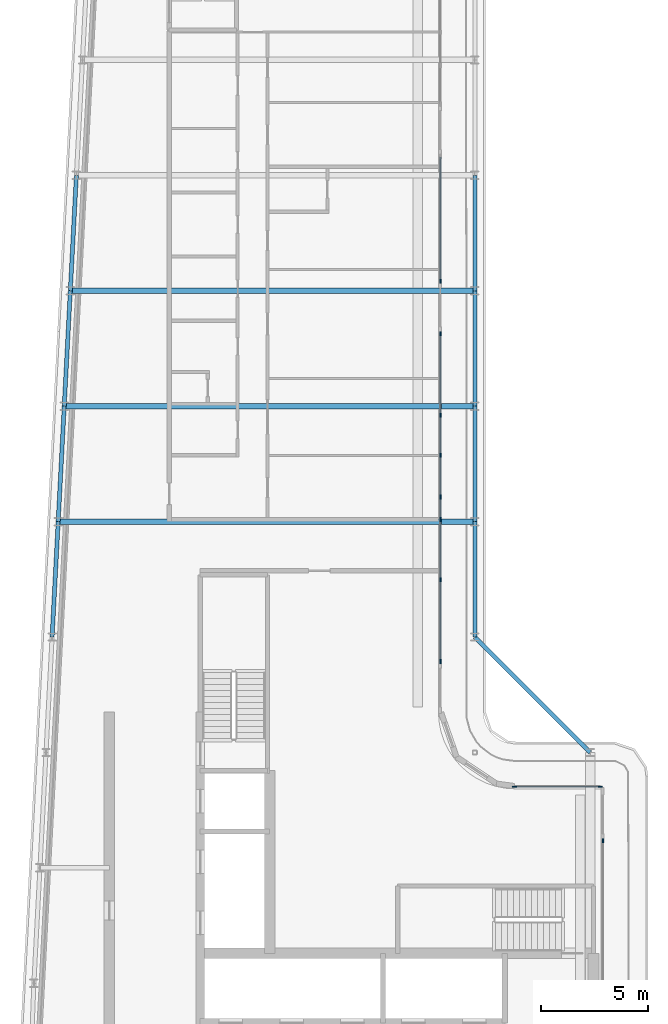
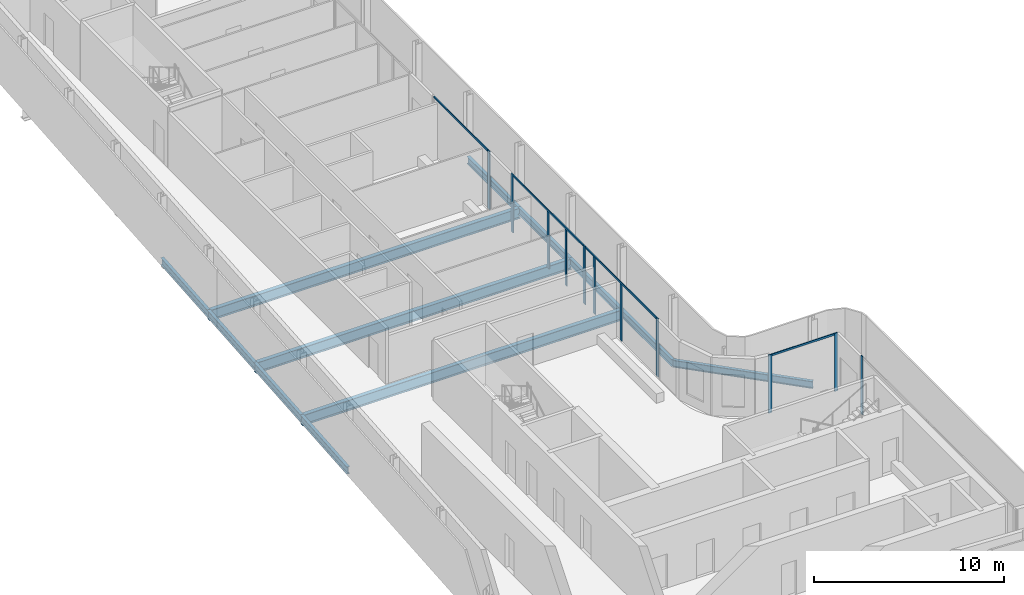
# One storey, part 5 of 18: 15 members, 12 beams, 5 elements without a shape of their own.
"""IFC4 building model written with IfcOpenShell, lengths in metres."""

from ifc_helpers import new_model, si_unit, direction, frame, origin, origin_2d, place, context, subcontext, project, spatial, rectangle, i_section, extrude, material, layer, layer_set, material_profile, profile_set, type_object, element, aggregate, save


model = new_model("IFC4")

# Units and contexts
model_context = context("Model", 3, precision=1e-05, world=origin(), true_north=direction((0.0, 1.0)))
body_context = subcontext(model_context, "Body", "Model", "MODEL_VIEW")
ifc_project = project(units=[si_unit("LENGTHUNIT", "METRE"), si_unit("AREAUNIT", "SQUARE_METRE"), si_unit("VOLUMEUNIT", "CUBIC_METRE"), si_unit("PLANEANGLEUNIT", "RADIAN"), si_unit("MASSUNIT", "GRAM", prefix="KILO")], contexts=[model_context])

# Site, building, storey
site_placement = place(None, origin())
site = spatial("IfcSite", under=ifc_project, at=site_placement, CompositionType="ELEMENT")
building_placement = place(site_placement, origin())
building = spatial("IfcBuilding", under=site, at=building_placement, Name="Kheshtan School and Residences Tower", CompositionType="ELEMENT")
storey_placement = place(building_placement, frame((0.0, 0.0, 381.199951171875)))
storey = spatial("IfcBuildingStorey", under=building, at=storey_placement, Name="L90", CompositionType="ELEMENT", Elevation=381.199951171875)

# Beams
ifc_material_1 = material(Name="Steel ASTM A992 Grade 50", Category="steel")
ifc_material_profile_1 = material_profile(ifc_material_1, i_section(OverallWidth=0.2529296875, OverallDepth=0.677978515625, WebThickness=0.01171875, FlangeThickness=0.016357421875, FilletRadius=0.0146484375, at=origin_2d()), Name="W690x125")
ifc_profile_set_1 = profile_set([ifc_material_profile_1], Name="Steel ASTM A992 Grade 50")
beam_type_1 = type_object("IfcBeamType", Name="Beam FB6 W690x125 ASTM A992 Grade 50", PredefinedType="BEAM", material=ifc_profile_set_1)
beam_1_placement = place(storey_placement, frame((47.60009765625, 67.199951171875, -0.489013671875), z_axis=(-1.0, 0.0, 0.0), x_axis=(0.0, -1.0, 0.0)))
element("IfcBeam", 1, at=beam_1_placement, inside=storey, type_object=beam_type_1, Name="Floor beam C085", PredefinedType="BEAM", context=body_context, shape_type="SweptSolid", body=[
    extrude(i_section(OverallWidth=0.2529296875, OverallDepth=0.677978515625, WebThickness=0.01171875, FlangeThickness=0.016357421875, FilletRadius=0.0146484375, at=origin_2d()), origin(), (0.0, 0.0, 1.0), 18.926025390625),
])
beam_2_placement = place(storey_placement, frame((47.60009765625, 56.39990234375, -0.489013671875), z_axis=(-1.0, 0.0, 0.0), x_axis=(0.0, -1.0, 0.0)))
element("IfcBeam", 2, at=beam_2_placement, inside=storey, type_object=beam_type_1, Name="Floor beam C081", PredefinedType="BEAM", context=body_context, shape_type="SweptSolid", body=[
    extrude(i_section(OverallWidth=0.2529296875, OverallDepth=0.677978515625, WebThickness=0.01171875, FlangeThickness=0.016357421875, FilletRadius=0.0146484375, at=origin_2d()), origin(), (0.0, 0.0, 1.0), 19.494140625),
])
beam_3_placement = place(storey_placement, frame((28.389892578125, 61.800048828125, -0.489013671875), z_axis=(1.0, 0.0, 0.0), x_axis=(0.0, 1.0, 0.0)))
element("IfcBeam", 3, at=beam_3_placement, inside=storey, type_object=beam_type_1, Name="Floor beam C082", PredefinedType="BEAM", context=body_context, shape_type="SweptSolid", body=[
    extrude(i_section(OverallWidth=0.2529296875, OverallDepth=0.677978515625, WebThickness=0.01171875, FlangeThickness=0.016357421875, FilletRadius=0.0146484375, at=origin_2d()), origin(), (0.0, 0.0, 1.0), 19.210205078125),
])
ifc_material_profile_2 = material_profile(ifc_material_1, i_section(OverallWidth=0.18994140625, OverallDepth=0.45703125, WebThickness=0.009033203125, FlangeThickness=0.014404296875, FilletRadius=0.01318359375, at=origin_2d()), Name="W460x74")
ifc_profile_set_2 = profile_set([ifc_material_profile_2], Name="Steel ASTM A992 Grade 50")
beam_type_2 = type_object("IfcBeamType", Name="Beam SP4 W460x74 ASTM A992 Grade 50", PredefinedType="BEAM", material=ifc_profile_set_2)
beam_4_placement = place(storey_placement, frame((47.60009765625, 72.60009765625, -0.37841796875), z_axis=(0.0, -1.0, 0.0), x_axis=(1.0, 0.0, 0.0)))
element("IfcBeam", 4, at=beam_4_placement, inside=storey, type_object=beam_type_2, Name="Spandrel beam C087-C085", PredefinedType="BEAM", context=body_context, shape_type="SweptSolid", body=[
    extrude(i_section(OverallWidth=0.18994140625, OverallDepth=0.45703125, WebThickness=0.009033203125, FlangeThickness=0.014404296875, FilletRadius=0.01318359375, at=origin_2d()), origin(), (0.0, 0.0, 1.0), 5.400146484375),
])
beam_5_placement = place(storey_placement, frame((47.60009765625, 67.199951171875, -0.37841796875), z_axis=(0.0, -1.0, 0.0), x_axis=(1.0, 0.0, 0.0)))
element("IfcBeam", 5, at=beam_5_placement, inside=storey, type_object=beam_type_2, Name="Spandrel beam C085-C083", PredefinedType="BEAM", context=body_context, shape_type="SweptSolid", body=[
    extrude(i_section(OverallWidth=0.18994140625, OverallDepth=0.45703125, WebThickness=0.009033203125, FlangeThickness=0.014404296875, FilletRadius=0.01318359375, at=origin_2d()), origin(), (0.0, 0.0, 1.0), 5.39990234375),
])
beam_6_placement = place(storey_placement, frame((47.60009765625, 61.800048828125, -0.37841796875), z_axis=(0.0, -1.0, 0.0), x_axis=(1.0, 0.0, 0.0)))
element("IfcBeam", 6, at=beam_6_placement, inside=storey, type_object=beam_type_2, Name="Spandrel beam C083-C081", PredefinedType="BEAM", context=body_context, shape_type="SweptSolid", body=[
    extrude(i_section(OverallWidth=0.18994140625, OverallDepth=0.45703125, WebThickness=0.009033203125, FlangeThickness=0.014404296875, FilletRadius=0.01318359375, at=origin_2d()), origin(), (0.0, 0.0, 1.0), 5.400146484375),
])
beam_7_placement = place(storey_placement, frame((47.60009765625, 56.39990234375, -0.37841796875), z_axis=(0.0, -1.0, 0.0), x_axis=(1.0, 0.0, 0.0)))
element("IfcBeam", 7, at=beam_7_placement, inside=storey, type_object=beam_type_2, Name="Spandrel beam C081-C079", PredefinedType="BEAM", context=body_context, shape_type="SweptSolid", body=[
    extrude(i_section(OverallWidth=0.18994140625, OverallDepth=0.45703125, WebThickness=0.009033203125, FlangeThickness=0.014404296875, FilletRadius=0.01318359375, at=origin_2d()), origin(), (0.0, 0.0, 1.0), 5.39990234375),
])
beam_8_placement = place(storey_placement, frame((47.60009765625, 51.0, -0.37841796875), z_axis=(0.707106781187, -0.707106781187, 0.0), x_axis=(0.707106781187, 0.707106781187, 0.0)))
element("IfcBeam", 8, at=beam_8_placement, inside=storey, type_object=beam_type_2, Name="Spandrel beam C079-C061", PredefinedType="BEAM", context=body_context, shape_type="SweptSolid", body=[
    extrude(i_section(OverallWidth=0.18994140625, OverallDepth=0.45703125, WebThickness=0.009033203125, FlangeThickness=0.014404296875, FilletRadius=0.01318359375, at=origin_2d()), origin(), (0.0, 0.0, 1.0), 7.63671875),
])
beam_9_placement = place(storey_placement, frame((27.822021484375, 51.0, -0.37841796875), z_axis=(0.05250906864, 0.998620447272, 0.0), x_axis=(-0.998620447272, 0.05250906864, 0.0)))
element("IfcBeam", 9, at=beam_9_placement, inside=storey, type_object=beam_type_2, Name="Spandrel beam C078-C080", PredefinedType="BEAM", context=body_context, shape_type="SweptSolid", body=[
    extrude(i_section(OverallWidth=0.18994140625, OverallDepth=0.45703125, WebThickness=0.009033203125, FlangeThickness=0.014404296875, FilletRadius=0.01318359375, at=origin_2d()), origin(), (0.0, 0.0, 1.0), 5.407470703125),
])
beam_10_placement = place(storey_placement, frame((28.10595703125, 56.39990234375, -0.37841796875), z_axis=(0.05250670125, 0.998620571751, 0.0), x_axis=(-0.998620571751, 0.05250670125, 0.0)))
element("IfcBeam", 10, at=beam_10_placement, inside=storey, type_object=beam_type_2, Name="Spandrel beam C080-C082", PredefinedType="BEAM", context=body_context, shape_type="SweptSolid", body=[
    extrude(i_section(OverallWidth=0.18994140625, OverallDepth=0.45703125, WebThickness=0.009033203125, FlangeThickness=0.014404296875, FilletRadius=0.01318359375, at=origin_2d()), origin(), (0.0, 0.0, 1.0), 5.40771484375),
])
beam_11_placement = place(storey_placement, frame((28.389892578125, 61.800048828125, -0.37841796875), z_axis=(0.052554093665, 0.998618078766, 0.0), x_axis=(-0.998618078766, 0.052554093665, 0.0)))
element("IfcBeam", 11, at=beam_11_placement, inside=storey, type_object=beam_type_2, Name="Spandrel beam C082-C084", PredefinedType="BEAM", context=body_context, shape_type="SweptSolid", body=[
    extrude(i_section(OverallWidth=0.18994140625, OverallDepth=0.45703125, WebThickness=0.009033203125, FlangeThickness=0.014404296875, FilletRadius=0.01318359375, at=origin_2d()), origin(), (0.0, 0.0, 1.0), 5.407470703125),
])
beam_12_placement = place(storey_placement, frame((28.674072265625, 67.199951171875, -0.37841796875), z_axis=(0.05250670125, 0.998620571751, 0.0), x_axis=(-0.998620571751, 0.05250670125, 0.0)))
element("IfcBeam", 12, at=beam_12_placement, inside=storey, type_object=beam_type_2, Name="Spandrel beam C084-C086", PredefinedType="BEAM", context=body_context, shape_type="SweptSolid", body=[
    extrude(i_section(OverallWidth=0.18994140625, OverallDepth=0.45703125, WebThickness=0.009033203125, FlangeThickness=0.014404296875, FilletRadius=0.01318359375, at=origin_2d()), origin(), (0.0, 0.0, 1.0), 5.40771484375),
])

# Curtain wall, members
ifc_material_2 = material(Name="Clear low-e glass in thermally broken aluminium frame", Category="aluminium")
ifc_layer_1 = layer(ifc_material_2, 0.199951171875)
ifc_layer_set_1 = layer_set([ifc_layer_1], Name="Curtain wall CW-B")
curtain_wall_type_1 = type_object("IfcCurtainWallType", Name="Curtain wall CW-B", PredefinedType="NOTDEFINED", material=ifc_layer_set_1)
curtain_wall_1_placement = place(storey_placement, origin())
curtain_wall_1 = element("IfcCurtainWall", 13, at=curtain_wall_1_placement, inside=storey, type_object=curtain_wall_type_1, Name="Curtain wall CWB12", PredefinedType="NOTDEFINED")
ifc_material_3 = material(Name="Thermally broken aluminium, dark bronze anodised", Category="aluminium")
ifc_material_profile_3 = material_profile(ifc_material_3, rectangle(XDim=0.06005859375, YDim=0.199951171875, at=origin_2d()), Name="CW-B mullion 60x200")
ifc_profile_set_3 = profile_set([ifc_material_profile_3], Name="Thermally broken aluminium, dark bronze anodised")
member_type_1 = type_object("IfcMemberType", Name="CW-B mullion 60x200", PredefinedType="MULLION", material=ifc_profile_set_3)
member_1_placement = place(storey_placement, frame((49.4599609375, 44.0, 0.0), z_axis=(0.0, 0.0, 1.0), x_axis=(0.0, 1.0, 0.0)))
member_1 = element("IfcMember", 14, at=member_1_placement, type_object=member_type_1, Name="CWB12 mullion 1", PredefinedType="MULLION", context=body_context, shape_type="SweptSolid", body=[
    extrude(rectangle(XDim=0.06005859375, YDim=0.199951171875, at=origin_2d()), origin(), (0.0, 0.0, 1.0), 3.75),
])
member_2_placement = place(storey_placement, frame((53.469970703125, 44.0, 0.0), z_axis=(0.0, 0.0, 1.0), x_axis=(0.0, 1.0, 0.0)))
member_2 = element("IfcMember", 15, at=member_2_placement, type_object=member_type_1, Name="CWB12 mullion 2", PredefinedType="MULLION", context=body_context, shape_type="SweptSolid", body=[
    extrude(rectangle(XDim=0.06005859375, YDim=0.199951171875, at=origin_2d()), origin(), (0.0, 0.0, 1.0), 3.75),
])
ifc_material_profile_4 = material_profile(ifc_material_3, rectangle(XDim=0.06005859375, YDim=0.1201171875, at=origin_2d()), Name="CW-B transom 60x120")
ifc_profile_set_4 = profile_set([ifc_material_profile_4], Name="Thermally broken aluminium, dark bronze anodised")
member_type_2 = type_object("IfcMemberType", Name="CW-B transom 60x120", PredefinedType="USERDEFINED", material=ifc_profile_set_4)
member_3_placement = place(storey_placement, frame((49.489990234375, 44.0, 3.68994140625), z_axis=(1.0, 0.0, 0.0), x_axis=(0.0, 1.0, 0.0)))
member_3 = element("IfcMember", 16, at=member_3_placement, type_object=member_type_2, Name="CWB12 transom 1", ObjectType="TRANSOM", PredefinedType="USERDEFINED", context=body_context, shape_type="SweptSolid", body=[
    extrude(rectangle(XDim=0.06005859375, YDim=0.1201171875, at=origin_2d()), origin(), (0.0, 0.0, 1.0), 3.949951171875),
])
aggregate(curtain_wall_1, [member_1, member_2, member_3])

# Curtain wall, member
ifc_layer_2 = layer(ifc_material_2, 0.199951171875)
ifc_layer_set_2 = layer_set([ifc_layer_2], Name="Curtain wall CW-L")
curtain_wall_type_2 = type_object("IfcCurtainWallType", Name="Curtain wall CW-L", PredefinedType="NOTDEFINED", material=ifc_layer_set_2)
curtain_wall_2_placement = place(storey_placement, origin())
curtain_wall_2 = element("IfcCurtainWall", 17, at=curtain_wall_2_placement, inside=storey, type_object=curtain_wall_type_2, Name="Curtain wall CWL8f", PredefinedType="NOTDEFINED")
ifc_material_profile_5 = material_profile(ifc_material_3, rectangle(XDim=0.06005859375, YDim=0.199951171875, at=origin_2d()), Name="CW-L mullion 60x200")
ifc_profile_set_5 = profile_set([ifc_material_profile_5], Name="Thermally broken aluminium, dark bronze anodised")
member_type_3 = type_object("IfcMemberType", Name="CW-L mullion 60x200", PredefinedType="MULLION", material=ifc_profile_set_5)
member_4_placement = place(storey_placement, frame((46.0, 67.64794921875, 0.0), z_axis=(0.0, 0.0, 1.0), x_axis=(1.0, 0.0, 0.0)))
member_4 = element("IfcMember", 18, at=member_4_placement, type_object=member_type_3, Name="CWL8f mullion 2", PredefinedType="MULLION", context=body_context, shape_type="SweptSolid", body=[
    extrude(rectangle(XDim=0.06005859375, YDim=0.199951171875, at=origin_2d()), origin(), (0.0, 0.0, 1.0), 3.75),
])

# Curtain wall, members
curtain_wall_3_placement = place(storey_placement, origin())
curtain_wall_3 = element("IfcCurtainWall", 19, at=curtain_wall_3_placement, inside=storey, type_object=curtain_wall_type_2, Name="Curtain wall CWL8c", PredefinedType="NOTDEFINED")
member_5_placement = place(storey_placement, frame((46.0, 65.18798828125, 0.0), z_axis=(0.0, 0.0, 1.0), x_axis=(1.0, 0.0, 0.0)))
member_5 = element("IfcMember", 20, at=member_5_placement, type_object=member_type_3, Name="CWL8c mullion 1", PredefinedType="MULLION", context=body_context, shape_type="SweptSolid", body=[
    extrude(rectangle(XDim=0.06005859375, YDim=0.199951171875, at=origin_2d()), origin(), (0.0, 0.0, 1.0), 3.75),
])
member_6_placement = place(storey_placement, frame((46.0, 61.37109375, 0.0), z_axis=(0.0, 0.0, 1.0), x_axis=(1.0, 0.0, 0.0)))
member_6 = element("IfcMember", 21, at=member_6_placement, type_object=member_type_3, Name="CWL8c mullion 2", PredefinedType="MULLION", context=body_context, shape_type="SweptSolid", body=[
    extrude(rectangle(XDim=0.06005859375, YDim=0.199951171875, at=origin_2d()), origin(), (0.0, 0.0, 1.0), 3.630126953125),
])
member_7_placement = place(storey_placement, frame((46.0, 59.5, 0.0), z_axis=(0.0, 0.0, 1.0), x_axis=(1.0, 0.0, 0.0)))
member_7 = element("IfcMember", 22, at=member_7_placement, type_object=member_type_3, Name="CWL8c mullion 3", PredefinedType="MULLION", context=body_context, shape_type="SweptSolid", body=[
    extrude(rectangle(XDim=0.06005859375, YDim=0.199951171875, at=origin_2d()), origin(), (0.0, 0.0, 1.0), 3.630126953125),
])
member_8_placement = place(storey_placement, frame((46.0, 57.553955078125, 0.0), z_axis=(0.0, 0.0, 1.0), x_axis=(1.0, 0.0, 0.0)))
member_8 = element("IfcMember", 23, at=member_8_placement, type_object=member_type_3, Name="CWL8c mullion 4", PredefinedType="MULLION", context=body_context, shape_type="SweptSolid", body=[
    extrude(rectangle(XDim=0.06005859375, YDim=0.199951171875, at=origin_2d()), origin(), (0.0, 0.0, 1.0), 3.75),
])

curtain_wall_4_placement = place(storey_placement, origin())
curtain_wall_4 = element("IfcCurtainWall", 24, at=curtain_wall_4_placement, inside=storey, type_object=curtain_wall_type_2, Name="Curtain wall CWL8c", PredefinedType="NOTDEFINED")
member_9_placement = place(storey_placement, frame((46.0, 56.5, 0.0), z_axis=(0.0, 0.0, 1.0), x_axis=(1.0, 0.0, 0.0)))
member_9 = element("IfcMember", 25, at=member_9_placement, type_object=member_type_3, Name="CWL8c mullion 2", PredefinedType="MULLION", context=body_context, shape_type="SweptSolid", body=[
    extrude(rectangle(XDim=0.06005859375, YDim=0.199951171875, at=origin_2d()), origin(), (0.0, 0.0, 1.0), 3.630126953125),
])
member_10_placement = place(storey_placement, frame((46.0, 53.677001953125, 0.0), z_axis=(0.0, 0.0, 1.0), x_axis=(1.0, 0.0, 0.0)))
member_10 = element("IfcMember", 26, at=member_10_placement, type_object=member_type_3, Name="CWL8c mullion 3", PredefinedType="MULLION", context=body_context, shape_type="SweptSolid", body=[
    extrude(rectangle(XDim=0.06005859375, YDim=0.199951171875, at=origin_2d()), origin(), (0.0, 0.0, 1.0), 3.630126953125),
])
member_11_placement = place(storey_placement, frame((46.0, 49.860107421875, 0.0), z_axis=(0.0, 0.0, 1.0), x_axis=(1.0, 0.0, 0.0)))
member_11 = element("IfcMember", 27, at=member_11_placement, type_object=member_type_3, Name="CWL8c mullion 4", PredefinedType="MULLION", context=body_context, shape_type="SweptSolid", body=[
    extrude(rectangle(XDim=0.06005859375, YDim=0.199951171875, at=origin_2d()), origin(), (0.0, 0.0, 1.0), 3.75),
])

# Curtain wall, member
curtain_wall_5_placement = place(storey_placement, origin())
curtain_wall_5 = element("IfcCurtainWall", 28, at=curtain_wall_5_placement, inside=storey, type_object=curtain_wall_type_2, Name="Curtain wall CWL13h", PredefinedType="NOTDEFINED")
member_12_placement = place(storey_placement, frame((53.60009765625, 41.469970703125, 0.0), z_axis=(0.0, 0.0, 1.0), x_axis=(1.0, 0.0, 0.0)))
member_12 = element("IfcMember", 29, at=member_12_placement, type_object=member_type_3, Name="CWL13h mullion 1", PredefinedType="MULLION", context=body_context, shape_type="SweptSolid", body=[
    extrude(rectangle(XDim=0.06005859375, YDim=0.199951171875, at=origin_2d()), origin(), (0.0, 0.0, 1.0), 3.75),
])
aggregate(curtain_wall_5, [member_12])

# Member
ifc_material_profile_6 = material_profile(ifc_material_3, rectangle(XDim=0.06005859375, YDim=0.1201171875, at=origin_2d()), Name="CW-L transom 60x120")
ifc_profile_set_6 = profile_set([ifc_material_profile_6], Name="Thermally broken aluminium, dark bronze anodised")
member_type_4 = type_object("IfcMemberType", Name="CW-L transom 60x120", PredefinedType="USERDEFINED", material=ifc_profile_set_6)
member_13_placement = place(storey_placement, frame((46.0, 73.451904296875, 3.68994140625), z_axis=(0.0, -1.0, 0.0), x_axis=(1.0, 0.0, 0.0)))
member_13 = element("IfcMember", 30, at=member_13_placement, type_object=member_type_4, Name="CWL8f transom 1", ObjectType="TRANSOM", PredefinedType="USERDEFINED", context=body_context, shape_type="SweptSolid", body=[
    extrude(rectangle(XDim=0.06005859375, YDim=0.1201171875, at=origin_2d()), origin(), (0.0, 0.0, 1.0), 5.77392578125),
])

aggregate(curtain_wall_2, [member_4, member_13])

member_14_placement = place(storey_placement, frame((46.0, 65.157958984375, 3.68994140625), z_axis=(0.0, -1.0, 0.0), x_axis=(1.0, 0.0, 0.0)))
member_14 = element("IfcMember", 31, at=member_14_placement, type_object=member_type_4, Name="CWL8c transom 1", ObjectType="TRANSOM", PredefinedType="USERDEFINED", context=body_context, shape_type="SweptSolid", body=[
    extrude(rectangle(XDim=0.06005859375, YDim=0.1201171875, at=origin_2d()), origin(), (0.0, 0.0, 1.0), 7.573974609375),
])

aggregate(curtain_wall_3, [member_5, member_6, member_7, member_8, member_14])

member_15_placement = place(storey_placement, frame((46.0, 57.52392578125, 3.68994140625), z_axis=(0.0, -1.0, 0.0), x_axis=(1.0, 0.0, 0.0)))
member_15 = element("IfcMember", 32, at=member_15_placement, type_object=member_type_4, Name="CWL8c transom 1", ObjectType="TRANSOM", PredefinedType="USERDEFINED", context=body_context, shape_type="SweptSolid", body=[
    extrude(rectangle(XDim=0.06005859375, YDim=0.1201171875, at=origin_2d()), origin(), (0.0, 0.0, 1.0), 7.634033203125),
])

aggregate(curtain_wall_4, [member_9, member_10, member_11, member_15])

save(model, "model.ifc")
